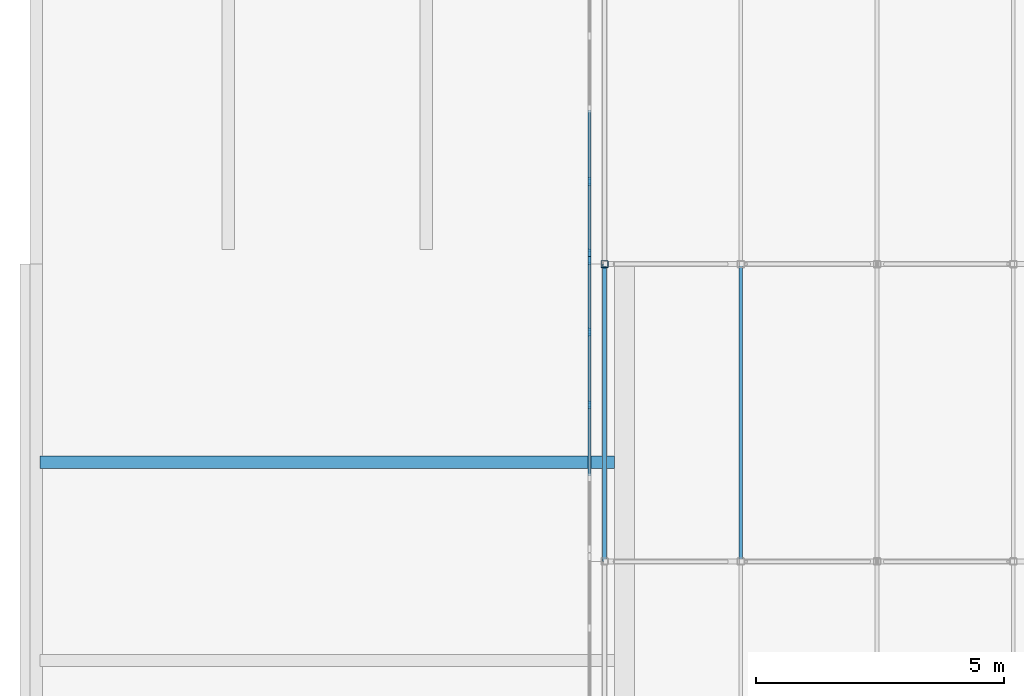
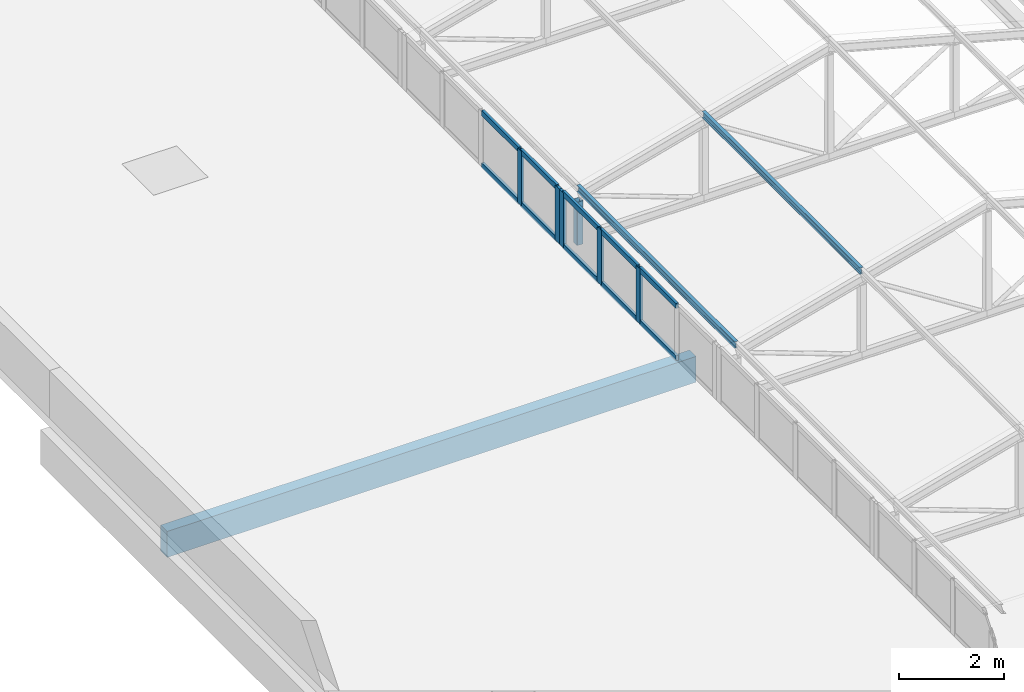
# One storey, part 18 of 94: 18 members, 1 beam, 2 elements without a shape of their own.
"""IFC4 building model written with IfcOpenShell, lengths in metres."""

import ifcopenshell
import ifcopenshell.guid

model = None  # the IFC model being written
_history = None  # IfcOwnerHistory: only IFC2X3 demands one
_inside = {}  # id of a spatial element -> (the spatial element, [elements in it])
_under = {}  # id of a project, library or spatial element -> (it, [spatial elements below it])
_declared = {}  # id of a project -> (the project, [libraries it declares])
_typed = {}  # id of a type object -> (the type object, [elements of that type])
_made_of = {}  # id of a material, layer set ... -> (it, [elements and type objects made of it])


def new_model(schema):
    """Start an empty IFC model of exactly this schema.

    Asked for "IFC4X3", IfcOpenShell would pick the latest addendum, in which some entities
    have other attributes; the version numbers below select the first issue.
    IFC2X3 requires an IfcOwnerHistory on every rooted entity: one is made here for all.
    """
    global model, _history
    if schema == "IFC4X3":
        model = ifcopenshell.file(schema_version=(4, 3, 0, 0))
    else:
        model = ifcopenshell.file(schema=schema)
    _inside.clear()
    _under.clear()
    _declared.clear()
    _typed.clear()
    _made_of.clear()
    _history = None
    if model.schema == "IFC2X3":
        org = make("IfcOrganization", Name="unknown")
        user = make(
            "IfcPersonAndOrganization",
            ThePerson=make("IfcPerson", FamilyName="unknown"),
            TheOrganization=org,
        )
        app = make(
            "IfcApplication",
            ApplicationDeveloper=org,
            Version="unknown",
            ApplicationFullName="unknown",
            ApplicationIdentifier="unknown",
        )
        _history = make(
            "IfcOwnerHistory",
            OwningUser=user,
            OwningApplication=app,
            ChangeAction="ADDED",
            CreationDate=0,
        )
    return model


def make(cls, **values):
    """One entity of the class cls with the attributes given. An attribute that is None is left unset."""
    return model.create_entity(
        cls, **{name: value for name, value in values.items() if value is not None}
    )


def rooted(cls, **values):
    """An entity with a GlobalId (a new one), such as an element, a storey or a relation."""
    return make(cls, GlobalId=ifcopenshell.guid.new(), OwnerHistory=_history, **values)


def si_unit(unit_type, name, prefix=None):
    """IfcSIUnit, for example si_unit("LENGTHUNIT", "METRE", prefix="MILLI")."""
    return make("IfcSIUnit", UnitType=unit_type, Prefix=prefix, Name=name)


def assignment(units):
    """IfcUnitAssignment: the units of a project."""
    return None if units is None else make("IfcUnitAssignment", Units=units)


def point(xyz):
    """IfcCartesianPoint."""
    return None if xyz is None else make("IfcCartesianPoint", Coordinates=xyz)


def direction(xyz):
    """IfcDirection."""
    return None if xyz is None else make("IfcDirection", DirectionRatios=xyz)


def frame(location, z_axis=None, x_axis=None):
    """IfcAxis2Placement3D, a coordinate frame: its origin and axes. An axis left out is left unset."""
    return make(
        "IfcAxis2Placement3D",
        Location=point(location),
        Axis=direction(z_axis),
        RefDirection=direction(x_axis),
    )


def frame_2d(location, x_axis=None):
    """IfcAxis2Placement2D, a coordinate frame in the plane: its origin and x axis."""
    return make(
        "IfcAxis2Placement2D", Location=point(location), RefDirection=direction(x_axis)
    )


def origin():
    """The frame at (0, 0, 0) with its axes left unset."""
    return frame((0.0, 0.0, 0.0))


def origin_2d():
    """The frame at (0, 0) in the plane with its x axis left unset."""
    return frame_2d((0.0, 0.0))


def place(relative_to, where):
    """IfcLocalPlacement: puts the frame where relative to a parent placement (None: the world)."""
    return make(
        "IfcLocalPlacement", PlacementRelTo=relative_to, RelativePlacement=where
    )


def context(
    kind, dimensions, precision=None, world=None, true_north=None, identifier=None
):
    """IfcGeometricRepresentationContext, for example the 3D "Model" context."""
    return make(
        "IfcGeometricRepresentationContext",
        ContextIdentifier=identifier,
        ContextType=kind,
        CoordinateSpaceDimension=dimensions,
        Precision=precision,
        WorldCoordinateSystem=world,
        TrueNorth=true_north,
    )


def subcontext(parent, identifier, kind, view, scale=None):
    """IfcGeometricRepresentationSubContext, for example "Body" below "Model"."""
    return make(
        "IfcGeometricRepresentationSubContext",
        ContextIdentifier=identifier,
        ContextType=kind,
        ParentContext=parent,
        TargetScale=scale,
        TargetView=view,
    )


def project(units=None, contexts=None):
    """IfcProject with its units and contexts."""
    return rooted(
        "IfcProject",
        Name="project",
        RepresentationContexts=contexts,
        UnitsInContext=assignment(units),
    )


def spatial(cls, under=None, at=None, **own):
    """A site, building, storey or space (cls), placed at a placement, below another one or the project."""
    s = rooted(cls, ObjectPlacement=at, **own)
    if under is not None:
        _under.setdefault(under.id(), (under, []))[1].append(s)
    return s


def profile(cls, at=None, kind="AREA", **sizes):
    """A parametric profile (cls). Its sizes go by their IFC names, for example OverallWidth=200.0."""
    return make(cls, ProfileType=kind, Position=at, **sizes)


def rectangle(**sizes):
    """IfcRectangleProfileDef."""
    return profile("IfcRectangleProfileDef", **sizes)


def hollow_rectangle(**sizes):
    """IfcRectangleHollowProfileDef."""
    return profile("IfcRectangleHollowProfileDef", **sizes)


def i_section(**sizes):
    """IfcIShapeProfileDef."""
    return profile("IfcIShapeProfileDef", **sizes)


def extrude(swept, where, along, depth):
    """IfcExtrudedAreaSolid: the profile swept, set in the frame where, extruded along a direction by depth."""
    return make(
        "IfcExtrudedAreaSolid",
        SweptArea=swept,
        Position=where,
        ExtrudedDirection=direction(along),
        Depth=depth,
    )


def shape(context_of_items, identifier, shape_type, items):
    """IfcShapeRepresentation: the items that make up one representation, for example the "Body"."""
    return make(
        "IfcShapeRepresentation",
        ContextOfItems=context_of_items,
        RepresentationIdentifier=identifier,
        RepresentationType=shape_type,
        Items=items,
    )


def material(Name=None, Category=None):
    """IfcMaterial."""
    return make("IfcMaterial", Name=Name, Category=Category)


def layer(
    of_material, thickness, ventilated=None, Name=None, Category=None, Priority=None
):
    """IfcMaterialLayer: one layer of a wall or slab, of a material (None: an air gap)."""
    return make(
        "IfcMaterialLayer",
        Material=of_material,
        LayerThickness=thickness,
        IsVentilated=ventilated,
        Name=Name,
        Category=Category,
        Priority=Priority,
    )


def layer_set(layers, Name=None):
    """IfcMaterialLayerSet."""
    return make("IfcMaterialLayerSet", MaterialLayers=layers, LayerSetName=Name)


def material_profile(
    of_material, cross_section, Name=None, Category=None, Priority=None
):
    """IfcMaterialProfile: a cross section and its material."""
    return make(
        "IfcMaterialProfile",
        Name=Name,
        Material=of_material,
        Profile=cross_section,
        Priority=Priority,
        Category=Category,
    )


def profile_set(profiles, Name=None, composite=None):
    """IfcMaterialProfileSet."""
    return make(
        "IfcMaterialProfileSet",
        Name=Name,
        MaterialProfiles=profiles,
        CompositeProfile=composite,
    )


def made_of(thing, what):
    """Note that an element or type object is made of a material, layer set ...; save() writes the relation."""
    if what is not None:
        _made_of.setdefault(what.id(), (what, []))[1].append(thing)
    return thing


def type_object(cls, material=None, **own):
    """A type object (cls), such as IfcWallType, which elements share."""
    return made_of(rooted(cls, **own), material)


def element(
    cls,
    number,
    at=None,
    inside=None,
    cuts=None,
    type_object=None,
    material=None,
    context=None,
    identifier="Body",
    shape_type=None,
    held_by="IfcProductDefinitionShape",
    body=None,
    shapes=None,
    **own,
):
    """One element of the class cls, such as IfcWall. Its Tag is "e" and its number.

    at: its placement. inside: the storey or other place that contains it. cuts: it is an
    opening in that element (IfcRelVoidsElement). A single representation is given by context,
    identifier, shape_type and body (its items); several are given by shapes. held_by: the class
    of the entity that holds the representations. save() writes the other relations.
    """
    e = rooted(cls, Tag="e%d" % number, ObjectPlacement=at, **own)
    if body is not None:
        shapes = [shape(context, identifier, shape_type, body)]
    if shapes is not None:
        e.Representation = make(held_by, Representations=shapes)
    if inside is not None:
        _inside.setdefault(inside.id(), (inside, []))[1].append(e)
    if cuts is not None:
        rooted(
            "IfcRelVoidsElement", RelatingBuildingElement=cuts, RelatedOpeningElement=e
        )
    if type_object is not None:
        _typed.setdefault(type_object.id(), (type_object, []))[1].append(e)
    return made_of(e, material)


def aggregate(whole, parts):
    """IfcRelAggregates: a whole, such as a stair, and the parts it consists of."""
    return rooted("IfcRelAggregates", RelatingObject=whole, RelatedObjects=parts)


def save(model, path):
    """Write the relations noted so far, then the file.

    IfcRelAggregates (storeys below a building ...), IfcRelContainedInSpatialStructure (elements
    in a storey), IfcRelDefinesByType, IfcRelAssociatesMaterial and IfcRelDeclares: one each for
    every whole, place, type object, material and project.
    """
    for whole, parts in _under.values():
        aggregate(whole, parts)
    for where, things in _inside.values():
        rooted(
            "IfcRelContainedInSpatialStructure",
            RelatedElements=things,
            RelatingStructure=where,
        )
    for kind, things in _typed.values():
        rooted("IfcRelDefinesByType", RelatedObjects=things, RelatingType=kind)
    for what, things in _made_of.values():
        rooted("IfcRelAssociatesMaterial", RelatedObjects=things, RelatingMaterial=what)
    for by, libraries in _declared.values():
        rooted("IfcRelDeclares", RelatingContext=by, RelatedDefinitions=libraries)
    model.write(path)


model = new_model("IFC4")

# Units and contexts
model_context = context("Model", 3, precision=1e-05, world=origin(), true_north=direction((0.0, 1.0)))
body_context = subcontext(model_context, "Body", "Model", "MODEL_VIEW")
ifc_project = project(units=[si_unit("LENGTHUNIT", "METRE"), si_unit("AREAUNIT", "SQUARE_METRE"), si_unit("VOLUMEUNIT", "CUBIC_METRE"), si_unit("PLANEANGLEUNIT", "RADIAN"), si_unit("MASSUNIT", "GRAM", prefix="KILO")], contexts=[model_context])

# Site, building, storey
site_placement = place(None, origin())
site = spatial("IfcSite", under=ifc_project, at=site_placement, CompositionType="ELEMENT")
building_placement = place(site_placement, origin())
building = spatial("IfcBuilding", under=site, at=building_placement, Name="Lilac Gate Convention Centre", CompositionType="ELEMENT")
storey_placement = place(building_placement, frame((0.0, 0.0, 21.0)))
storey = spatial("IfcBuildingStorey", under=building, at=storey_placement, Name="L04", CompositionType="ELEMENT", Elevation=21.0)

# Curtain wall, members
ifc_material_1 = material(Name="Aluminium framed double glazing", Category="aluminium")
ifc_layer = layer(ifc_material_1, 0.199951171875)
ifc_layer_set = layer_set([ifc_layer], Name="Aluminium framed double glazing")
curtain_wall_type = type_object("IfcCurtainWallType", Name="Unitised curtain wall 1500", PredefinedType="NOTDEFINED", material=ifc_layer_set)
curtain_wall_1_placement = place(storey_placement, origin())
curtain_wall_1 = element("IfcCurtainWall", 1, at=curtain_wall_1_placement, inside=storey, type_object=curtain_wall_type, Name="Lantern clerestory W 10", PredefinedType="NOTDEFINED")
ifc_material_2 = material(Name="Aluminium alloy 6063", Category="aluminium")
ifc_material_profile_1 = material_profile(ifc_material_2, rectangle(XDim=0.06005859375, YDim=0.159912109375, at=origin_2d()), Name="Curtain wall mullion 60 x 160")
ifc_profile_set_1 = profile_set([ifc_material_profile_1], Name="Aluminium alloy 6063")
member_type_1 = type_object("IfcMemberType", Name="Curtain wall mullion 60 x 160", PredefinedType="MULLION", material=ifc_profile_set_1)
member_1_placement = place(storey_placement, frame((17.300048828125, 87.16259765625, 0.0), z_axis=(0.0, 0.0, 1.0), x_axis=(-1.0, 0.0, 0.0)))
member_1 = element("IfcMember", 2, at=member_1_placement, type_object=member_type_1, Name="CW mullion 3", PredefinedType="MULLION", context=body_context, shape_type="SweptSolid", body=[
    extrude(rectangle(XDim=0.06005859375, YDim=0.159912109375, at=origin_2d()), origin(), (0.0, 0.0, 1.0), 1.272216796875),
])
member_2_placement = place(storey_placement, frame((17.300048828125, 88.63134765625, 0.0), z_axis=(0.0, 0.0, 1.0), x_axis=(-1.0, 0.0, 0.0)))
member_2 = element("IfcMember", 3, at=member_2_placement, type_object=member_type_1, Name="CW mullion 4", PredefinedType="MULLION", context=body_context, shape_type="SweptSolid", body=[
    extrude(rectangle(XDim=0.06005859375, YDim=0.159912109375, at=origin_2d()), origin(), (0.0, 0.0, 1.0), 1.272216796875),
])
member_3_placement = place(storey_placement, frame((17.300048828125, 90.070068359375, 0.0), z_axis=(0.0, 0.0, 1.0), x_axis=(-1.0, 0.0, 0.0)))
member_3 = element("IfcMember", 4, at=member_3_placement, type_object=member_type_1, Name="CW mullion 5", PredefinedType="MULLION", context=body_context, shape_type="SweptSolid", body=[
    extrude(rectangle(XDim=0.06005859375, YDim=0.159912109375, at=origin_2d()), origin(), (0.0, 0.0, 1.0), 1.272216796875),
])

curtain_wall_2_placement = place(storey_placement, origin())
curtain_wall_2 = element("IfcCurtainWall", 5, at=curtain_wall_2_placement, inside=storey, type_object=curtain_wall_type, Name="Lantern clerestory W 11", PredefinedType="NOTDEFINED")
member_4_placement = place(storey_placement, frame((17.300048828125, 90.22998046875, 0.0), z_axis=(0.0, 0.0, 1.0), x_axis=(-1.0, 0.0, 0.0)))
member_4 = element("IfcMember", 6, at=member_4_placement, type_object=member_type_1, Name="CW mullion 1", PredefinedType="MULLION", context=body_context, shape_type="SweptSolid", body=[
    extrude(rectangle(XDim=0.06005859375, YDim=0.159912109375, at=origin_2d()), origin(), (0.0, 0.0, 1.0), 1.272216796875),
])
member_5_placement = place(storey_placement, frame((17.300048828125, 91.668701171875, 0.0), z_axis=(0.0, 0.0, 1.0), x_axis=(-1.0, 0.0, 0.0)))
member_5 = element("IfcMember", 7, at=member_5_placement, type_object=member_type_1, Name="CW mullion 2", PredefinedType="MULLION", context=body_context, shape_type="SweptSolid", body=[
    extrude(rectangle(XDim=0.06005859375, YDim=0.159912109375, at=origin_2d()), origin(), (0.0, 0.0, 1.0), 1.272216796875),
])

# Member
ifc_material_profile_2 = material_profile(ifc_material_2, rectangle(XDim=0.06005859375, YDim=0.1201171875, at=origin_2d()), Name="Curtain wall transom 60 x 120")
ifc_profile_set_2 = profile_set([ifc_material_profile_2], Name="Aluminium alloy 6063")
member_type_2 = type_object("IfcMemberType", Name="Curtain wall transom 60 x 120", PredefinedType="USERDEFINED", material=ifc_profile_set_2)
member_6_placement = place(storey_placement, frame((17.300048828125, 85.723876953125, 0.030029296875), z_axis=(0.0, 1.0, 0.0), x_axis=(-1.0, 0.0, 0.0)))
member_6 = element("IfcMember", 8, at=member_6_placement, type_object=member_type_2, Name="CW transom 2.1", ObjectType="TRANSOM", PredefinedType="USERDEFINED", context=body_context, shape_type="SweptSolid", body=[
    extrude(rectangle(XDim=0.06005859375, YDim=0.1201171875, at=origin_2d()), origin(), (0.0, 0.0, 1.0), 1.40869140625),
])

member_7_placement = place(storey_placement, frame((17.300048828125, 85.723876953125, 1.2421875), z_axis=(0.0, 1.0, 0.0), x_axis=(-1.0, 0.0, 0.0)))
member_7 = element("IfcMember", 9, at=member_7_placement, type_object=member_type_2, Name="CW transom 2.2", ObjectType="TRANSOM", PredefinedType="USERDEFINED", context=body_context, shape_type="SweptSolid", body=[
    extrude(rectangle(XDim=0.06005859375, YDim=0.1201171875, at=origin_2d()), origin(), (0.0, 0.0, 1.0), 1.40869140625),
])

member_8_placement = place(storey_placement, frame((17.300048828125, 87.192626953125, 0.030029296875), z_axis=(0.0, 1.0, 0.0), x_axis=(-1.0, 0.0, 0.0)))
member_8 = element("IfcMember", 10, at=member_8_placement, type_object=member_type_2, Name="CW transom 3.1", ObjectType="TRANSOM", PredefinedType="USERDEFINED", context=body_context, shape_type="SweptSolid", body=[
    extrude(rectangle(XDim=0.06005859375, YDim=0.1201171875, at=origin_2d()), origin(), (0.0, 0.0, 1.0), 1.40869140625),
])

member_9_placement = place(storey_placement, frame((17.300048828125, 87.192626953125, 1.2421875), z_axis=(0.0, 1.0, 0.0), x_axis=(-1.0, 0.0, 0.0)))
member_9 = element("IfcMember", 11, at=member_9_placement, type_object=member_type_2, Name="CW transom 3.2", ObjectType="TRANSOM", PredefinedType="USERDEFINED", context=body_context, shape_type="SweptSolid", body=[
    extrude(rectangle(XDim=0.06005859375, YDim=0.1201171875, at=origin_2d()), origin(), (0.0, 0.0, 1.0), 1.40869140625),
])

member_10_placement = place(storey_placement, frame((17.300048828125, 88.661376953125, 0.030029296875), z_axis=(0.0, 1.0, 0.0), x_axis=(-1.0, 0.0, 0.0)))
member_10 = element("IfcMember", 12, at=member_10_placement, type_object=member_type_2, Name="CW transom 4.1", ObjectType="TRANSOM", PredefinedType="USERDEFINED", context=body_context, shape_type="SweptSolid", body=[
    extrude(rectangle(XDim=0.06005859375, YDim=0.1201171875, at=origin_2d()), origin(), (0.0, 0.0, 1.0), 1.378662109375),
])

member_11_placement = place(storey_placement, frame((17.300048828125, 88.661376953125, 1.2421875), z_axis=(0.0, 1.0, 0.0), x_axis=(-1.0, 0.0, 0.0)))
member_11 = element("IfcMember", 13, at=member_11_placement, type_object=member_type_2, Name="CW transom 4.2", ObjectType="TRANSOM", PredefinedType="USERDEFINED", context=body_context, shape_type="SweptSolid", body=[
    extrude(rectangle(XDim=0.06005859375, YDim=0.1201171875, at=origin_2d()), origin(), (0.0, 0.0, 1.0), 1.378662109375),
])

aggregate(curtain_wall_1, [member_1, member_2, member_3, member_6, member_7, member_8, member_9, member_10, member_11])

member_12_placement = place(storey_placement, frame((17.300048828125, 90.260009765625, 0.030029296875), z_axis=(0.0, 1.0, 0.0), x_axis=(-1.0, 0.0, 0.0)))
member_12 = element("IfcMember", 14, at=member_12_placement, type_object=member_type_2, Name="CW transom 1.1", ObjectType="TRANSOM", PredefinedType="USERDEFINED", context=body_context, shape_type="SweptSolid", body=[
    extrude(rectangle(XDim=0.06005859375, YDim=0.1201171875, at=origin_2d()), origin(), (0.0, 0.0, 1.0), 1.378662109375),
])

member_13_placement = place(storey_placement, frame((17.300048828125, 90.260009765625, 1.2421875), z_axis=(0.0, 1.0, 0.0), x_axis=(-1.0, 0.0, 0.0)))
member_13 = element("IfcMember", 15, at=member_13_placement, type_object=member_type_2, Name="CW transom 1.2", ObjectType="TRANSOM", PredefinedType="USERDEFINED", context=body_context, shape_type="SweptSolid", body=[
    extrude(rectangle(XDim=0.06005859375, YDim=0.1201171875, at=origin_2d()), origin(), (0.0, 0.0, 1.0), 1.378662109375),
])

member_14_placement = place(storey_placement, frame((17.300048828125, 91.69873046875, 0.030029296875), z_axis=(0.0, 1.0, 0.0), x_axis=(-1.0, 0.0, 0.0)))
member_14 = element("IfcMember", 16, at=member_14_placement, type_object=member_type_2, Name="CW transom 2.1", ObjectType="TRANSOM", PredefinedType="USERDEFINED", context=body_context, shape_type="SweptSolid", body=[
    extrude(rectangle(XDim=0.06005859375, YDim=0.1201171875, at=origin_2d()), origin(), (0.0, 0.0, 1.0), 1.40869140625),
])

member_15_placement = place(storey_placement, frame((17.300048828125, 91.69873046875, 1.2421875), z_axis=(0.0, 1.0, 0.0), x_axis=(-1.0, 0.0, 0.0)))
member_15 = element("IfcMember", 17, at=member_15_placement, type_object=member_type_2, Name="CW transom 2.2", ObjectType="TRANSOM", PredefinedType="USERDEFINED", context=body_context, shape_type="SweptSolid", body=[
    extrude(rectangle(XDim=0.06005859375, YDim=0.1201171875, at=origin_2d()), origin(), (0.0, 0.0, 1.0), 1.40869140625),
])

aggregate(curtain_wall_2, [member_4, member_5, member_12, member_13, member_14, member_15])

# Members
ifc_material_3 = material(Name="Steel Q355B", Category="steel")
ifc_material_profile_3 = material_profile(ifc_material_3, hollow_rectangle(XDim=0.139892578125, YDim=0.139892578125, WallThickness=0.0048828125, InnerFilletRadius=0.0048828125, OuterFilletRadius=0.010009765625, at=origin_2d()), Name="SHS140x140x5")
ifc_profile_set_3 = profile_set([ifc_material_profile_3], Name="Steel Q355B")
member_type_3 = type_object("IfcMemberType", Name="Lantern post SHS140x140x5", PredefinedType="STRUT", material=ifc_profile_set_3)
member_16_placement = place(storey_placement, frame((17.60009765625, 90.0, 0.0), z_axis=(0.0, 0.0, 1.0), x_axis=(1.0, 0.0, 0.0)))
element("IfcMember", 18, at=member_16_placement, inside=storey, type_object=member_type_3, Name="LV1 lantern truss 11 post 1", PredefinedType="STRUT", context=body_context, shape_type="SweptSolid", body=[
    extrude(hollow_rectangle(XDim=0.139892578125, YDim=0.139892578125, WallThickness=0.0048828125, InnerFilletRadius=0.0048828125, OuterFilletRadius=0.010009765625, at=origin_2d()), origin(), (0.0, 0.0, 1.0), 1.001953125),
])
ifc_material_profile_4 = material_profile(ifc_material_3, i_section(OverallWidth=0.074951171875, OverallDepth=0.14990234375, WebThickness=0.0048828125, FlangeThickness=0.007080078125, FilletRadius=0.008056640625, at=origin_2d()), Name="HN150x75x5x7")
ifc_profile_set_4 = profile_set([ifc_material_profile_4], Name="Steel Q355B")
member_type_4 = type_object("IfcMemberType", Name="Lantern purlin HN150x75x5x7", PredefinedType="PURLIN", material=ifc_profile_set_4)
for number, where, z_axis, x_axis, name in (
    (19, (17.60009765625, 84.0, 1.279052734375), (0.0, 1.0, 0.0), (-1.0, 0.0, 0.0), "LP1 lantern purlin bay 10 line 1"),
    (20, (20.35009765625, 84.0, 2.029052734375), (0.0, 1.0, 0.0), (-1.0, 0.0, 0.0), "LP1 lantern purlin bay 10 line 2"),
):
    element("IfcMember", number, at=place(storey_placement, frame(where, z_axis=z_axis, x_axis=x_axis)), inside=storey, type_object=member_type_4, Name=name, PredefinedType="PURLIN", context=body_context, shape_type="SweptSolid", body=[
        extrude(i_section(OverallWidth=0.074951171875, OverallDepth=0.14990234375, WebThickness=0.0048828125, FlangeThickness=0.007080078125, FilletRadius=0.008056640625, at=origin_2d()), origin(), (0.0, 0.0, 1.0), 6.0),
    ])

# Beam
ifc_material_4 = material(Name="Concrete C40", Category="concrete")
ifc_material_profile_5 = material_profile(ifc_material_4, rectangle(XDim=0.25, YDim=0.60009765625, at=origin_2d()), Name="RC 250x600")
ifc_profile_set_5 = profile_set([ifc_material_profile_5], Name="Concrete C40")
beam_type = type_object("IfcBeamType", Name="Tower secondary beam 250x600 C40", PredefinedType="BEAM", material=ifc_profile_set_5)
beam_placement = place(storey_placement, frame((6.199951171875, 86.0, -0.5), z_axis=(1.0, 0.0, 0.0), x_axis=(0.0, 1.0, 0.0)))
element("IfcBeam", 21, at=beam_placement, inside=storey, type_object=beam_type, Name="RB4 L04 bay 1/E", PredefinedType="BEAM", context=body_context, shape_type="SweptSolid", body=[
    extrude(rectangle(XDim=0.25, YDim=0.60009765625, at=origin_2d()), origin(), (0.0, 0.0, 1.0), 11.60009765625),
])

save(model, "model.ifc")
